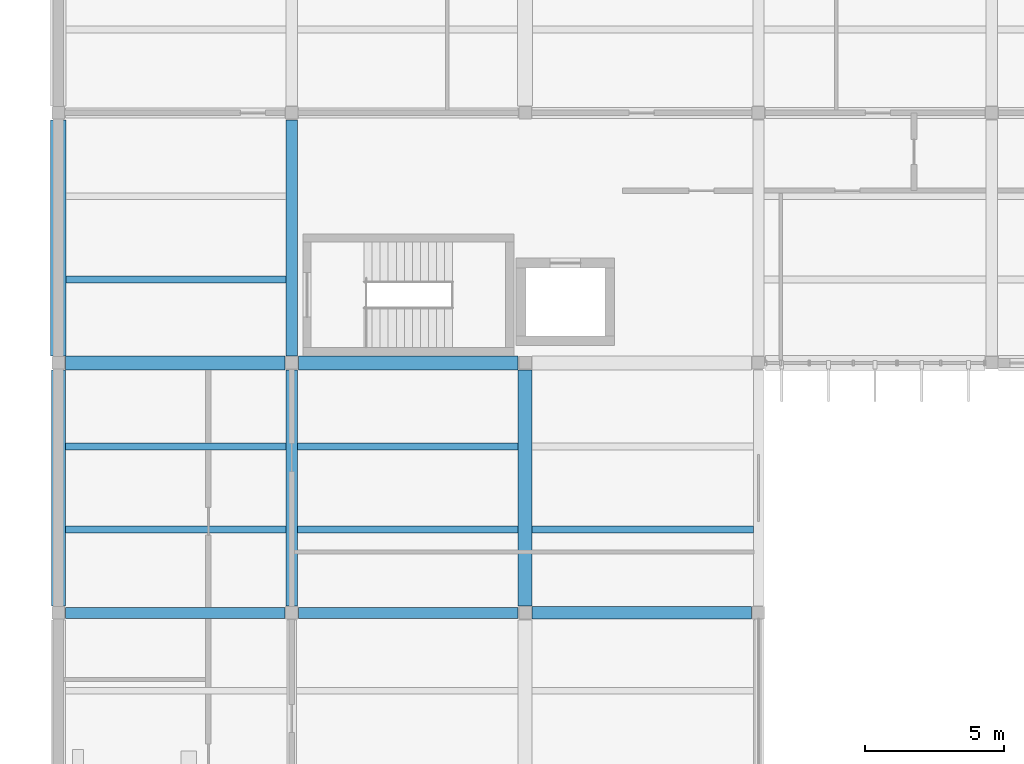
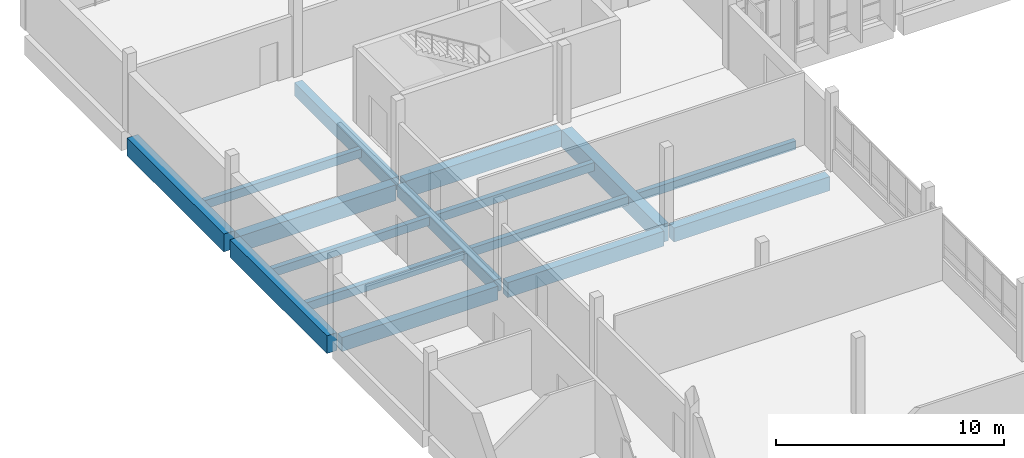
# One storey, part 19 of 62: 16 beams.
"""IFC4 building model written with IfcOpenShell, lengths in metres."""

from ifc_helpers import new_model, si_unit, direction, frame, origin, origin_2d, place, context, subcontext, project, spatial, rectangle, extrude, material, material_profile, profile_set, type_object, element, save


model = new_model("IFC4")

# Units and contexts
model_context = context("Model", 3, precision=1e-05, world=origin(), true_north=direction((0.0, 1.0)))
body_context = subcontext(model_context, "Body", "Model", "MODEL_VIEW")
ifc_project = project(units=[si_unit("LENGTHUNIT", "METRE"), si_unit("AREAUNIT", "SQUARE_METRE"), si_unit("VOLUMEUNIT", "CUBIC_METRE"), si_unit("PLANEANGLEUNIT", "RADIAN"), si_unit("MASSUNIT", "GRAM", prefix="KILO")], contexts=[model_context])

# Site, building, storey
site_placement = place(None, origin())
site = spatial("IfcSite", under=ifc_project, at=site_placement, CompositionType="ELEMENT")
building_placement = place(site_placement, origin())
building = spatial("IfcBuilding", under=site, at=building_placement, Name="Vireocrest Preparatory School", CompositionType="ELEMENT")
storey_placement = place(building_placement, frame((0.0, 0.0, 17.39990234375)))
storey = spatial("IfcBuildingStorey", under=building, at=storey_placement, Name="L04", CompositionType="ELEMENT", Elevation=17.39990234375)

# Beams
ifc_material = material(Name="Concrete 40 MPa", Category="concrete")
ifc_material_profile_1 = material_profile(ifc_material, rectangle(XDim=0.5, YDim=0.949951171875, at=origin_2d()), Name="RC 500x950")
ifc_profile_set_1 = profile_set([ifc_material_profile_1], Name="Concrete 40 MPa")
beam_type_1 = type_object("IfcBeamType", Name="RC Basement Ceiling Girder 500x950", PredefinedType="BEAM", material=ifc_profile_set_1)
for number, where, z_axis, x_axis, name in (
    (1, (42.0, 86.050048828125, -0.71484375), (0.0, 1.0, 0.0), (-1.0, 0.0, 0.0), "Primary Girder B16 L04-1359"),
    (2, (58.800048828125, 86.050048828125, -0.71484375), (0.0, 1.0, 0.0), (-1.0, 0.0, 0.0), "Primary Girder B16 L04-1377"),
):
    element("IfcBeam", number, at=place(storey_placement, frame(where, z_axis=z_axis, x_axis=x_axis)), inside=storey, type_object=beam_type_1, Name=name, PredefinedType="BEAM", context=body_context, shape_type="SweptSolid", body=[
        extrude(rectangle(XDim=0.5, YDim=0.949951171875, at=origin_2d()), origin(), (0.0, 0.0, 1.0), 8.5),
    ])
ifc_material_profile_2 = material_profile(ifc_material, rectangle(XDim=0.39990234375, YDim=0.75, at=origin_2d()), Name="RC 400x750")
ifc_profile_set_2 = profile_set([ifc_material_profile_2], Name="Concrete 40 MPa")
beam_type_2 = type_object("IfcBeamType", Name="RC Commons Girder 400x750", PredefinedType="BEAM", material=ifc_profile_set_2)
beam_1_placement = place(storey_placement, frame((42.25, 85.800048828125, -0.614990234375), z_axis=(1.0, 0.0, 0.0), x_axis=(0.0, 1.0, 0.0)))
element("IfcBeam", 3, at=beam_1_placement, inside=storey, type_object=beam_type_2, Name="Primary Girder B09 L04-1321", PredefinedType="BEAM", context=body_context, shape_type="SweptSolid", body=[
    extrude(rectangle(XDim=0.39990234375, YDim=0.75, at=origin_2d()), origin(), (0.0, 0.0, 1.0), 7.89990234375),
])
ifc_material_profile_3 = material_profile(ifc_material, rectangle(XDim=0.39990234375, YDim=0.699951171875, at=origin_2d()), Name="RC 400x700")
ifc_profile_set_3 = profile_set([ifc_material_profile_3], Name="Concrete 40 MPa")
beam_type_3 = type_object("IfcBeamType", Name="RC Corridor Girder 400x700", PredefinedType="BEAM", material=ifc_profile_set_3)
beam_2_placement = place(storey_placement, frame((50.39990234375, 95.050048828125, -0.58984375), z_axis=(0.0, 1.0, 0.0), x_axis=(-1.0, 0.0, 0.0)))
element("IfcBeam", 4, at=beam_2_placement, inside=storey, type_object=beam_type_3, Name="Primary Girder B08 L04-1369", PredefinedType="BEAM", context=body_context, shape_type="SweptSolid", body=[
    extrude(rectangle(XDim=0.39990234375, YDim=0.699951171875, at=origin_2d()), origin(), (0.0, 0.0, 1.0), 8.5),
])
ifc_material_profile_4 = material_profile(ifc_material, rectangle(XDim=0.39990234375, YDim=0.64990234375, at=origin_2d()), Name="RC 400x650")
ifc_profile_set_4 = profile_set([ifc_material_profile_4], Name="Concrete 40 MPa")
beam_type_4 = type_object("IfcBeamType", Name="RC Laboratory Girder 400x650", PredefinedType="BEAM", material=ifc_profile_set_4)
beam_3_placement = place(storey_placement, frame((50.39990234375, 86.050048828125, -0.56494140625), z_axis=(0.0, 1.0, 0.0), x_axis=(-1.0, 0.0, 0.0)))
element("IfcBeam", 5, at=beam_3_placement, inside=storey, type_object=beam_type_4, Name="Primary Girder B07 L04-1368", PredefinedType="BEAM", context=body_context, shape_type="SweptSolid", body=[
    extrude(rectangle(XDim=0.39990234375, YDim=0.64990234375, at=origin_2d()), origin(), (0.0, 0.0, 1.0), 8.5),
])
ifc_material_profile_5 = material_profile(ifc_material, rectangle(XDim=0.39990234375, YDim=0.800048828125, at=origin_2d()), Name="RC 400x800")
ifc_profile_set_5 = profile_set([ifc_material_profile_5], Name="Concrete 40 MPa")
beam_type_5 = type_object("IfcBeamType", Name="RC Library Reading Girder 400x800", PredefinedType="BEAM", material=ifc_profile_set_5)
beam_4_placement = place(storey_placement, frame((50.64990234375, 85.800048828125, -0.639892578125), z_axis=(1.0, 0.0, 0.0), x_axis=(0.0, 1.0, 0.0)))
element("IfcBeam", 6, at=beam_4_placement, inside=storey, type_object=beam_type_5, Name="Primary Girder B10 L04-1322", PredefinedType="BEAM", context=body_context, shape_type="SweptSolid", body=[
    extrude(rectangle(XDim=0.39990234375, YDim=0.800048828125, at=origin_2d()), origin(), (0.0, 0.0, 1.0), 7.900146484375),
])
ifc_material_profile_6 = material_profile(ifc_material, rectangle(XDim=0.449951171875, YDim=0.75, at=origin_2d()), Name="RC 450x750")
ifc_profile_set_6 = profile_set([ifc_material_profile_6], Name="Concrete 40 MPa")
beam_type_6 = type_object("IfcBeamType", Name="RC Library Stack Girder 450x750", PredefinedType="BEAM", material=ifc_profile_set_6)
beam_5_placement = place(storey_placement, frame((59.050048828125, 85.800048828125, -0.614990234375), z_axis=(1.0, 0.0, 0.0), x_axis=(0.0, 1.0, 0.0)))
element("IfcBeam", 7, at=beam_5_placement, inside=storey, type_object=beam_type_6, Name="Primary Girder B11 L04-1323", PredefinedType="BEAM", context=body_context, shape_type="SweptSolid", body=[
    extrude(rectangle(XDim=0.449951171875, YDim=0.75, at=origin_2d()), origin(), (0.0, 0.0, 1.0), 7.89990234375),
])
ifc_material_profile_7 = material_profile(ifc_material, rectangle(XDim=0.5, YDim=0.85009765625, at=origin_2d()), Name="RC 500x850")
ifc_profile_set_7 = profile_set([ifc_material_profile_7], Name="Concrete 40 MPa")
beam_type_7 = type_object("IfcBeamType", Name="RC Podium Girder 500x850", PredefinedType="BEAM", material=ifc_profile_set_7)
beam_6_placement = place(storey_placement, frame((42.25, 94.800048828125, -0.664794921875), z_axis=(1.0, 0.0, 0.0), x_axis=(0.0, 1.0, 0.0)))
element("IfcBeam", 8, at=beam_6_placement, inside=storey, type_object=beam_type_7, Name="Primary Girder B14 L04-1326", PredefinedType="BEAM", context=body_context, shape_type="SweptSolid", body=[
    extrude(rectangle(XDim=0.5, YDim=0.85009765625, at=origin_2d()), origin(), (0.0, 0.0, 1.0), 7.89990234375),
])
ifc_material_profile_8 = material_profile(ifc_material, rectangle(XDim=0.5, YDim=0.89990234375, at=origin_2d()), Name="RC 500x900")
ifc_profile_set_8 = profile_set([ifc_material_profile_8], Name="Concrete 40 MPa")
beam_type_8 = type_object("IfcBeamType", Name="RC Podium Girder 500x900", PredefinedType="BEAM", material=ifc_profile_set_8)
beam_7_placement = place(storey_placement, frame((50.64990234375, 94.800048828125, -0.68994140625), z_axis=(1.0, 0.0, 0.0), x_axis=(0.0, 1.0, 0.0)))
element("IfcBeam", 9, at=beam_7_placement, inside=storey, type_object=beam_type_8, Name="Primary Girder B15 L04-1327", PredefinedType="BEAM", context=body_context, shape_type="SweptSolid", body=[
    extrude(rectangle(XDim=0.5, YDim=0.89990234375, at=origin_2d()), origin(), (0.0, 0.0, 1.0), 7.900146484375),
])
ifc_material_profile_9 = material_profile(ifc_material, rectangle(XDim=0.25, YDim=0.449951171875, at=origin_2d()), Name="RC 250x450")
ifc_profile_set_9 = profile_set([ifc_material_profile_9], Name="Concrete 40 MPa")
beam_type_9 = type_object("IfcBeamType", Name="RC Secondary Floor Joist 250x450", PredefinedType="JOIST", material=ifc_profile_set_9)
for number, where, z_axis, x_axis, name in (
    (10, (42.25, 88.800048828125, -0.46484375), (1.0, 0.0, 0.0), (0.0, 1.0, 0.0), "Secondary Joist J01 L04-1433"),
    (11, (42.25, 91.800048828125, -0.46484375), (1.0, 0.0, 0.0), (0.0, 1.0, 0.0), "Secondary Joist J01 L04-1434"),
):
    element("IfcBeam", number, at=place(storey_placement, frame(where, z_axis=z_axis, x_axis=x_axis)), inside=storey, type_object=beam_type_9, Name=name, PredefinedType="JOIST", context=body_context, shape_type="SweptSolid", body=[
        extrude(rectangle(XDim=0.25, YDim=0.449951171875, at=origin_2d()), origin(), (0.0, 0.0, 1.0), 7.949951171875),
    ])
beam_8_placement = place(storey_placement, frame((42.27490234375, 97.800048828125, -0.46484375), z_axis=(1.0, 0.0, 0.0), x_axis=(0.0, 1.0, 0.0)))
element("IfcBeam", 12, at=beam_8_placement, inside=storey, type_object=beam_type_9, Name="Secondary Joist J01 L04-1435", PredefinedType="JOIST", context=body_context, shape_type="SweptSolid", body=[
    extrude(rectangle(XDim=0.25, YDim=0.449951171875, at=origin_2d()), origin(), (0.0, 0.0, 1.0), 7.925048828125),
])
for number, where, z_axis, x_axis, name in (
    (13, (50.60009765625, 88.800048828125, -0.46484375), (1.0, 0.0, 0.0), (0.0, 1.0, 0.0), "Secondary Joist J01 L04-1449"),
    (14, (50.60009765625, 91.800048828125, -0.46484375), (1.0, 0.0, 0.0), (0.0, 1.0, 0.0), "Secondary Joist J01 L04-1450"),
):
    element("IfcBeam", number, at=place(storey_placement, frame(where, z_axis=z_axis, x_axis=x_axis)), inside=storey, type_object=beam_type_9, Name=name, PredefinedType="JOIST", context=body_context, shape_type="SweptSolid", body=[
        extrude(rectangle(XDim=0.25, YDim=0.449951171875, at=origin_2d()), origin(), (0.0, 0.0, 1.0), 7.949951171875),
    ])
beam_9_placement = place(storey_placement, frame((59.050048828125, 88.800048828125, -0.46484375), z_axis=(1.0, 0.0, 0.0), x_axis=(0.0, 1.0, 0.0)))
element("IfcBeam", 15, at=beam_9_placement, inside=storey, type_object=beam_type_9, Name="Secondary Joist J01 L04-1465", PredefinedType="JOIST", context=body_context, shape_type="SweptSolid", body=[
    extrude(rectangle(XDim=0.25, YDim=0.449951171875, at=origin_2d()), origin(), (0.0, 0.0, 1.0), 7.974853515625),
])
ifc_material_profile_10 = material_profile(ifc_material, rectangle(XDim=0.550048828125, YDim=0.949951171875, at=origin_2d()), Name="RC 550x950")
ifc_profile_set_10 = profile_set([ifc_material_profile_10], Name="Concrete 40 MPa")
beam_type_10 = type_object("IfcBeamType", Name="RC Setback Edge Girder 550x950", PredefinedType="BEAM", material=ifc_profile_set_10)
beam_10_placement = place(storey_placement, frame((42.0, 95.050048828125, -0.71484375), z_axis=(0.0, 1.0, 0.0), x_axis=(-1.0, 0.0, 0.0)))
element("IfcBeam", 16, at=beam_10_placement, inside=storey, type_object=beam_type_10, Name="Primary Girder B17 L04-1360", PredefinedType="BEAM", context=body_context, shape_type="SweptSolid", body=[
    extrude(rectangle(XDim=0.550048828125, YDim=0.949951171875, at=origin_2d()), origin(), (0.0, 0.0, 1.0), 8.5),
])

save(model, "model.ifc")
